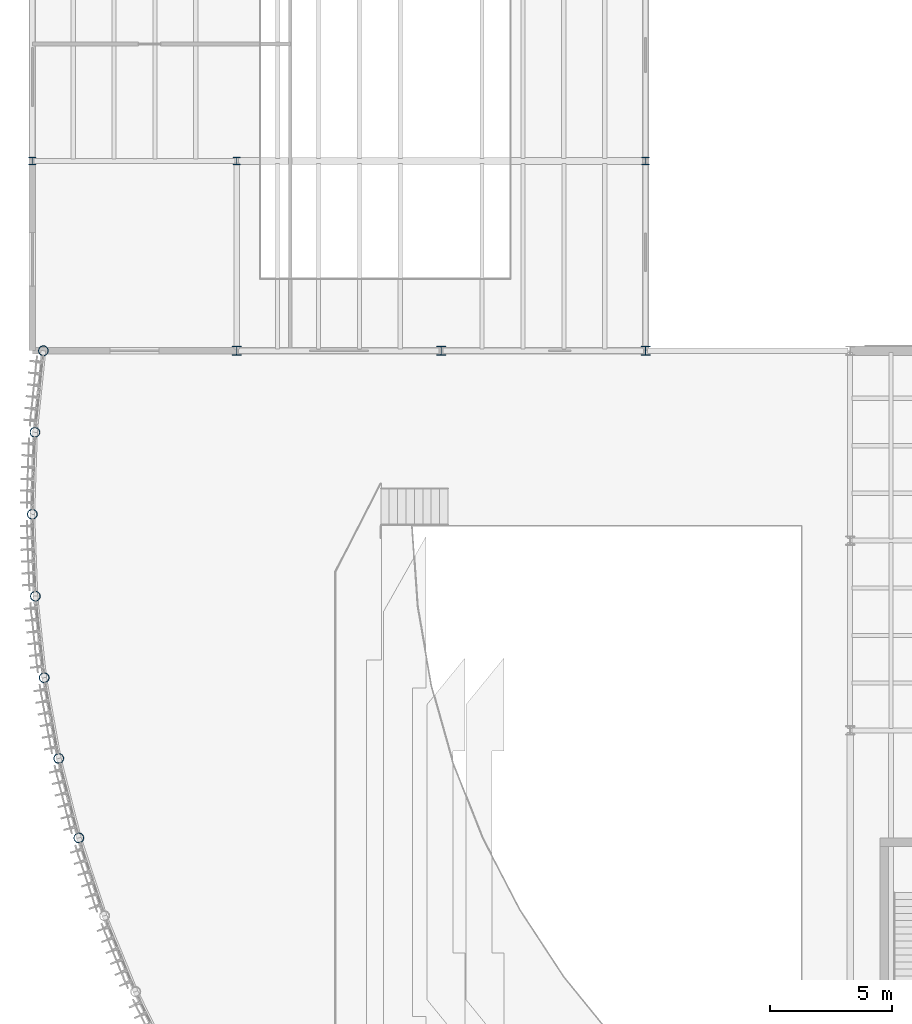
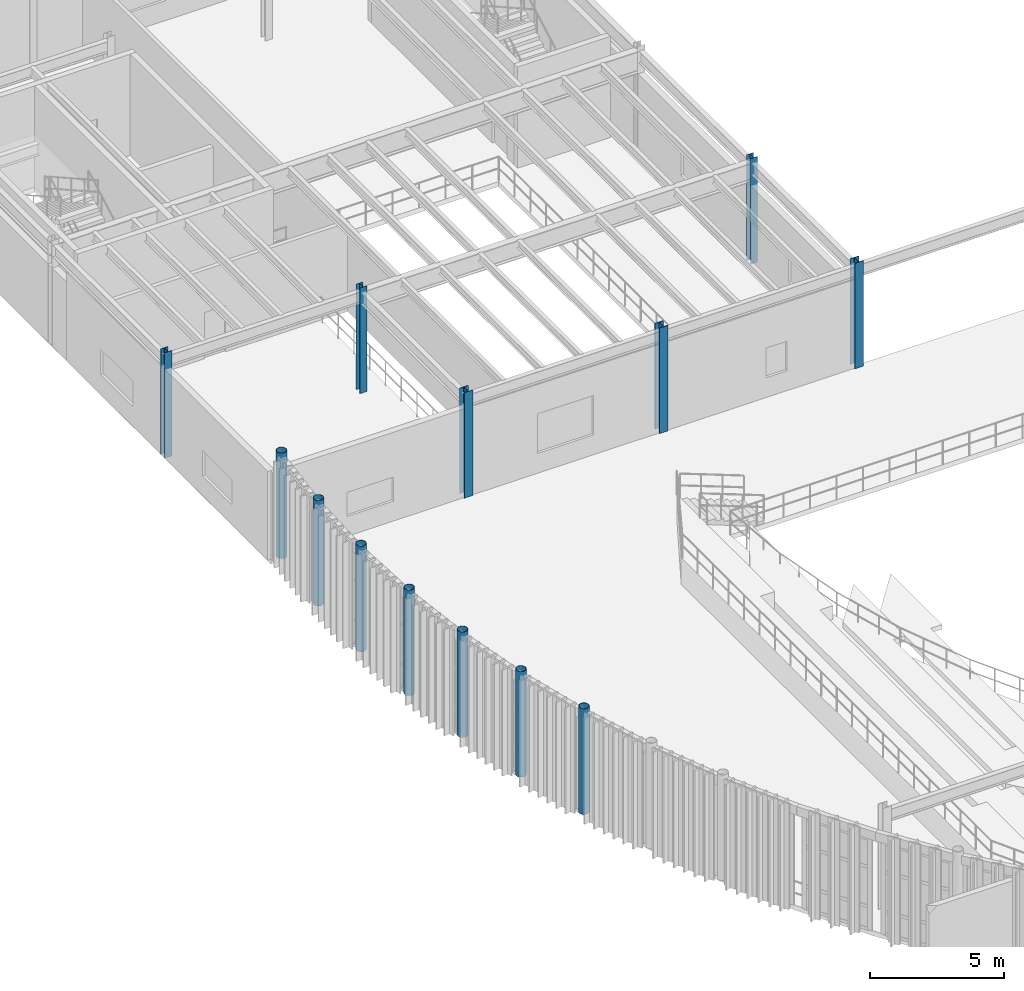
# One storey, part 3 of 105: 13 columns.
"""IFC4 building model written with IfcOpenShell, lengths in metres."""

import ifcopenshell
import ifcopenshell.guid

model = None  # the IFC model being written
_history = None  # IfcOwnerHistory: only IFC2X3 demands one
_inside = {}  # id of a spatial element -> (the spatial element, [elements in it])
_under = {}  # id of a project, library or spatial element -> (it, [spatial elements below it])
_declared = {}  # id of a project -> (the project, [libraries it declares])
_typed = {}  # id of a type object -> (the type object, [elements of that type])
_made_of = {}  # id of a material, layer set ... -> (it, [elements and type objects made of it])


def new_model(schema):
    """Start an empty IFC model of exactly this schema.

    Asked for "IFC4X3", IfcOpenShell would pick the latest addendum, in which some entities
    have other attributes; the version numbers below select the first issue.
    IFC2X3 requires an IfcOwnerHistory on every rooted entity: one is made here for all.
    """
    global model, _history
    if schema == "IFC4X3":
        model = ifcopenshell.file(schema_version=(4, 3, 0, 0))
    else:
        model = ifcopenshell.file(schema=schema)
    _inside.clear()
    _under.clear()
    _declared.clear()
    _typed.clear()
    _made_of.clear()
    _history = None
    if model.schema == "IFC2X3":
        org = make("IfcOrganization", Name="unknown")
        user = make(
            "IfcPersonAndOrganization",
            ThePerson=make("IfcPerson", FamilyName="unknown"),
            TheOrganization=org,
        )
        app = make(
            "IfcApplication",
            ApplicationDeveloper=org,
            Version="unknown",
            ApplicationFullName="unknown",
            ApplicationIdentifier="unknown",
        )
        _history = make(
            "IfcOwnerHistory",
            OwningUser=user,
            OwningApplication=app,
            ChangeAction="ADDED",
            CreationDate=0,
        )
    return model


def make(cls, **values):
    """One entity of the class cls with the attributes given. An attribute that is None is left unset."""
    return model.create_entity(
        cls, **{name: value for name, value in values.items() if value is not None}
    )


def rooted(cls, **values):
    """An entity with a GlobalId (a new one), such as an element, a storey or a relation."""
    return make(cls, GlobalId=ifcopenshell.guid.new(), OwnerHistory=_history, **values)


def si_unit(unit_type, name, prefix=None):
    """IfcSIUnit, for example si_unit("LENGTHUNIT", "METRE", prefix="MILLI")."""
    return make("IfcSIUnit", UnitType=unit_type, Prefix=prefix, Name=name)


def assignment(units):
    """IfcUnitAssignment: the units of a project."""
    return None if units is None else make("IfcUnitAssignment", Units=units)


def point(xyz):
    """IfcCartesianPoint."""
    return None if xyz is None else make("IfcCartesianPoint", Coordinates=xyz)


def direction(xyz):
    """IfcDirection."""
    return None if xyz is None else make("IfcDirection", DirectionRatios=xyz)


def frame(location, z_axis=None, x_axis=None):
    """IfcAxis2Placement3D, a coordinate frame: its origin and axes. An axis left out is left unset."""
    return make(
        "IfcAxis2Placement3D",
        Location=point(location),
        Axis=direction(z_axis),
        RefDirection=direction(x_axis),
    )


def frame_2d(location, x_axis=None):
    """IfcAxis2Placement2D, a coordinate frame in the plane: its origin and x axis."""
    return make(
        "IfcAxis2Placement2D", Location=point(location), RefDirection=direction(x_axis)
    )


def origin():
    """The frame at (0, 0, 0) with its axes left unset."""
    return frame((0.0, 0.0, 0.0))


def origin_2d():
    """The frame at (0, 0) in the plane with its x axis left unset."""
    return frame_2d((0.0, 0.0))


def place(relative_to, where):
    """IfcLocalPlacement: puts the frame where relative to a parent placement (None: the world)."""
    return make(
        "IfcLocalPlacement", PlacementRelTo=relative_to, RelativePlacement=where
    )


def context(
    kind, dimensions, precision=None, world=None, true_north=None, identifier=None
):
    """IfcGeometricRepresentationContext, for example the 3D "Model" context."""
    return make(
        "IfcGeometricRepresentationContext",
        ContextIdentifier=identifier,
        ContextType=kind,
        CoordinateSpaceDimension=dimensions,
        Precision=precision,
        WorldCoordinateSystem=world,
        TrueNorth=true_north,
    )


def subcontext(parent, identifier, kind, view, scale=None):
    """IfcGeometricRepresentationSubContext, for example "Body" below "Model"."""
    return make(
        "IfcGeometricRepresentationSubContext",
        ContextIdentifier=identifier,
        ContextType=kind,
        ParentContext=parent,
        TargetScale=scale,
        TargetView=view,
    )


def project(units=None, contexts=None):
    """IfcProject with its units and contexts."""
    return rooted(
        "IfcProject",
        Name="project",
        RepresentationContexts=contexts,
        UnitsInContext=assignment(units),
    )


def spatial(cls, under=None, at=None, **own):
    """A site, building, storey or space (cls), placed at a placement, below another one or the project."""
    s = rooted(cls, ObjectPlacement=at, **own)
    if under is not None:
        _under.setdefault(under.id(), (under, []))[1].append(s)
    return s


def profile(cls, at=None, kind="AREA", **sizes):
    """A parametric profile (cls). Its sizes go by their IFC names, for example OverallWidth=200.0."""
    return make(cls, ProfileType=kind, Position=at, **sizes)


def hollow_circle(**sizes):
    """IfcCircleHollowProfileDef."""
    return profile("IfcCircleHollowProfileDef", **sizes)


def i_section(**sizes):
    """IfcIShapeProfileDef."""
    return profile("IfcIShapeProfileDef", **sizes)


def extrude(swept, where, along, depth):
    """IfcExtrudedAreaSolid: the profile swept, set in the frame where, extruded along a direction by depth."""
    return make(
        "IfcExtrudedAreaSolid",
        SweptArea=swept,
        Position=where,
        ExtrudedDirection=direction(along),
        Depth=depth,
    )


def shape(context_of_items, identifier, shape_type, items):
    """IfcShapeRepresentation: the items that make up one representation, for example the "Body"."""
    return make(
        "IfcShapeRepresentation",
        ContextOfItems=context_of_items,
        RepresentationIdentifier=identifier,
        RepresentationType=shape_type,
        Items=items,
    )


def material(Name=None, Category=None):
    """IfcMaterial."""
    return make("IfcMaterial", Name=Name, Category=Category)


def material_profile(
    of_material, cross_section, Name=None, Category=None, Priority=None
):
    """IfcMaterialProfile: a cross section and its material."""
    return make(
        "IfcMaterialProfile",
        Name=Name,
        Material=of_material,
        Profile=cross_section,
        Priority=Priority,
        Category=Category,
    )


def profile_set(profiles, Name=None, composite=None):
    """IfcMaterialProfileSet."""
    return make(
        "IfcMaterialProfileSet",
        Name=Name,
        MaterialProfiles=profiles,
        CompositeProfile=composite,
    )


def made_of(thing, what):
    """Note that an element or type object is made of a material, layer set ...; save() writes the relation."""
    if what is not None:
        _made_of.setdefault(what.id(), (what, []))[1].append(thing)
    return thing


def type_object(cls, material=None, **own):
    """A type object (cls), such as IfcWallType, which elements share."""
    return made_of(rooted(cls, **own), material)


def element(
    cls,
    number,
    at=None,
    inside=None,
    cuts=None,
    type_object=None,
    material=None,
    context=None,
    identifier="Body",
    shape_type=None,
    held_by="IfcProductDefinitionShape",
    body=None,
    shapes=None,
    **own,
):
    """One element of the class cls, such as IfcWall. Its Tag is "e" and its number.

    at: its placement. inside: the storey or other place that contains it. cuts: it is an
    opening in that element (IfcRelVoidsElement). A single representation is given by context,
    identifier, shape_type and body (its items); several are given by shapes. held_by: the class
    of the entity that holds the representations. save() writes the other relations.
    """
    e = rooted(cls, Tag="e%d" % number, ObjectPlacement=at, **own)
    if body is not None:
        shapes = [shape(context, identifier, shape_type, body)]
    if shapes is not None:
        e.Representation = make(held_by, Representations=shapes)
    if inside is not None:
        _inside.setdefault(inside.id(), (inside, []))[1].append(e)
    if cuts is not None:
        rooted(
            "IfcRelVoidsElement", RelatingBuildingElement=cuts, RelatedOpeningElement=e
        )
    if type_object is not None:
        _typed.setdefault(type_object.id(), (type_object, []))[1].append(e)
    return made_of(e, material)


def aggregate(whole, parts):
    """IfcRelAggregates: a whole, such as a stair, and the parts it consists of."""
    return rooted("IfcRelAggregates", RelatingObject=whole, RelatedObjects=parts)


def save(model, path):
    """Write the relations noted so far, then the file.

    IfcRelAggregates (storeys below a building ...), IfcRelContainedInSpatialStructure (elements
    in a storey), IfcRelDefinesByType, IfcRelAssociatesMaterial and IfcRelDeclares: one each for
    every whole, place, type object, material and project.
    """
    for whole, parts in _under.values():
        aggregate(whole, parts)
    for where, things in _inside.values():
        rooted(
            "IfcRelContainedInSpatialStructure",
            RelatedElements=things,
            RelatingStructure=where,
        )
    for kind, things in _typed.values():
        rooted("IfcRelDefinesByType", RelatedObjects=things, RelatingType=kind)
    for what, things in _made_of.values():
        rooted("IfcRelAssociatesMaterial", RelatedObjects=things, RelatingMaterial=what)
    for by, libraries in _declared.values():
        rooted("IfcRelDeclares", RelatingContext=by, RelatedDefinitions=libraries)
    model.write(path)


model = new_model("IFC4")

# Units and contexts
model_context = context("Model", 3, precision=1e-05, world=origin(), true_north=direction((0.0, 1.0)))
body_context = subcontext(model_context, "Body", "Model", "MODEL_VIEW")
ifc_project = project(units=[si_unit("LENGTHUNIT", "METRE"), si_unit("AREAUNIT", "SQUARE_METRE"), si_unit("VOLUMEUNIT", "CUBIC_METRE"), si_unit("PLANEANGLEUNIT", "RADIAN"), si_unit("MASSUNIT", "GRAM", prefix="KILO")], contexts=[model_context])

# Site, building, storey
site_placement = place(None, origin())
site = spatial("IfcSite", under=ifc_project, at=site_placement, CompositionType="ELEMENT")
building_placement = place(site_placement, origin())
building = spatial("IfcBuilding", under=site, at=building_placement, Name="Selat Folded Stagehouse", CompositionType="ELEMENT")
storey_placement = place(building_placement, frame((0.0, 0.0, 10.199951171875)))
storey = spatial("IfcBuildingStorey", under=building, at=storey_placement, Name="L02", CompositionType="ELEMENT", Elevation=10.199951171875)

# Columns
ifc_material = material(Name="Steel S355", Category="steel")
ifc_material_profile_1 = material_profile(ifc_material, hollow_circle(Radius=0.203125, WallThickness=0.01611328125, at=origin_2d()), Name="CHS 406.4x16.0")
ifc_profile_set_1 = profile_set([ifc_material_profile_1], Name="Steel S355")
column_type_1 = type_object("IfcColumnType", Name="COL-CHS-406x16", PredefinedType="COLUMN", material=ifc_profile_set_1)
for number, where, z_axis, x_axis, name in (
    (1, (0.455810546875, 54.60009765625, 0.0), (0.0, 0.0, 1.0), (1.0, 0.0, 0.0), "L02 column STK-DRM-00"),
    (2, (0.110107421875, 51.248779296875, 0.0), (0.0, 0.0, 1.0), (1.0, 0.0, 0.0), "L02 column STK-DRM-01"),
    (3, (0.0, 47.881591796875, 0.0), (0.0, 0.0, 1.0), (1.0, 0.0, 0.0), "L02 column STK-DRM-02"),
    (4, (0.126708984375, 44.514892578125, 0.0), (0.0, 0.0, 1.0), (1.0, 0.0, 0.0), "L02 column STK-DRM-03"),
    (5, (0.489013671875, 41.16552734375, 0.0), (0.0, 0.0, 1.0), (1.0, 0.0, 0.0), "L02 column STK-DRM-04"),
    (6, (1.08544921875, 37.849609375, 0.0), (0.0, 0.0, 1.0), (1.0, 0.0, 0.0), "L02 column STK-DRM-05"),
    (7, (1.9130859375, 34.583984375, 0.0), (0.0, 0.0, 1.0), (1.0, 0.0, 0.0), "L02 column STK-DRM-06"),
):
    element("IfcColumn", number, at=place(storey_placement, frame(where, z_axis=z_axis, x_axis=x_axis)), inside=storey, type_object=column_type_1, Name=name, PredefinedType="COLUMN", context=body_context, shape_type="SweptSolid", body=[
        extrude(hollow_circle(Radius=0.203125, WallThickness=0.01611328125, at=origin_2d()), origin(), (0.0, 0.0, 1.0), 4.800048828125),
    ])
ifc_material_profile_2 = material_profile(ifc_material, i_section(OverallWidth=0.305419921875, OverallDepth=0.307861328125, WebThickness=0.010009765625, FlangeThickness=0.015380859375, FilletRadius=0.01513671875, at=origin_2d()), Name="UKC 305x305x97")
ifc_profile_set_2 = profile_set([ifc_material_profile_2], Name="Steel S355")
column_type_2 = type_object("IfcColumnType", Name="COL-UKC-305x305x97", PredefinedType="COLUMN", material=ifc_profile_set_2)
for number, where, z_axis, x_axis, name in (
    (8, (0.0, 62.39990234375, 0.0), (0.0, 0.0, 1.0), (1.0, 0.0, 0.0), "L02 column STK-V4-01"),
    (9, (8.39990234375, 62.39990234375, 0.0), (0.0, 0.0, 1.0), (1.0, 0.0, 0.0), "L02 column STK-V4-05"),
    (10, (25.199951171875, 62.39990234375, 0.0), (0.0, 0.0, 1.0), (1.0, 0.0, 0.0), "L02 column STK-V4-10"),
):
    element("IfcColumn", number, at=place(storey_placement, frame(where, z_axis=z_axis, x_axis=x_axis)), inside=storey, type_object=column_type_2, Name=name, PredefinedType="COLUMN", context=body_context, shape_type="SweptSolid", body=[
        extrude(i_section(OverallWidth=0.305419921875, OverallDepth=0.307861328125, WebThickness=0.010009765625, FlangeThickness=0.015380859375, FilletRadius=0.01513671875, at=origin_2d()), origin(), (0.0, 0.0, 1.0), 4.800048828125),
    ])
ifc_material_profile_3 = material_profile(ifc_material, i_section(OverallWidth=0.37255859375, OverallDepth=0.3681640625, WebThickness=0.014404296875, FlangeThickness=0.023681640625, FilletRadius=0.01513671875, at=origin_2d()), Name="UKC 356x368x177")
ifc_profile_set_3 = profile_set([ifc_material_profile_3], Name="Steel S355")
column_type_3 = type_object("IfcColumnType", Name="COL-UKC-356x368x177", PredefinedType="COLUMN", material=ifc_profile_set_3)
for number, where, z_axis, x_axis, name in (
    (11, (8.39990234375, 54.60009765625, 0.0), (0.0, 0.0, 1.0), (1.0, 0.0, 0.0), "L02 column STK-V2-03"),
    (12, (16.800048828125, 54.60009765625, 0.0), (0.0, 0.0, 1.0), (1.0, 0.0, 0.0), "L02 column STK-V2-04"),
    (13, (25.199951171875, 54.60009765625, 0.0), (0.0, 0.0, 1.0), (1.0, 0.0, 0.0), "L02 column STK-V2-05"),
):
    element("IfcColumn", number, at=place(storey_placement, frame(where, z_axis=z_axis, x_axis=x_axis)), inside=storey, type_object=column_type_3, Name=name, PredefinedType="COLUMN", context=body_context, shape_type="SweptSolid", body=[
        extrude(i_section(OverallWidth=0.37255859375, OverallDepth=0.3681640625, WebThickness=0.014404296875, FlangeThickness=0.023681640625, FilletRadius=0.01513671875, at=origin_2d()), origin(), (0.0, 0.0, 1.0), 4.800048828125),
    ])

save(model, "model.ifc")
